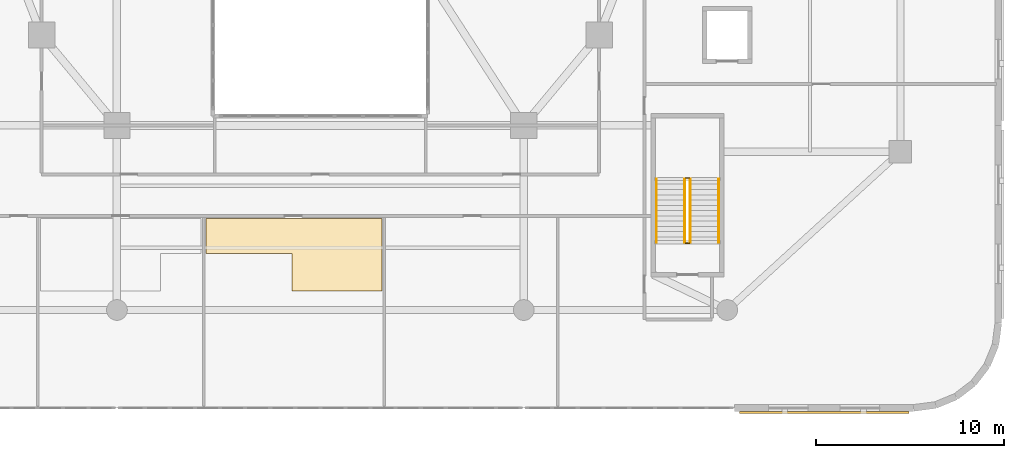
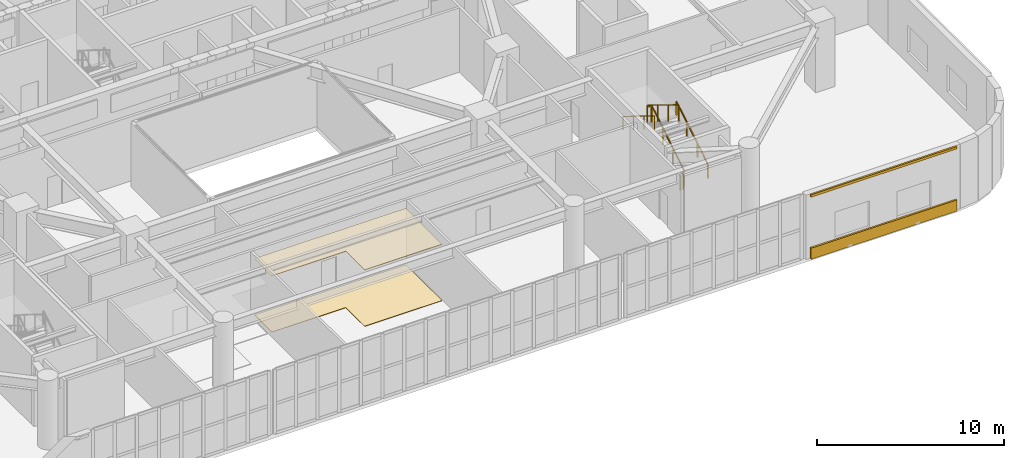
# One storey, part 21 of 25: 6 railings, 4 coverings.
"""IFC4 building model written with IfcOpenShell, lengths in metres."""

from ifc_helpers import new_model, si_unit, direction, frame, origin, origin_2d, place, context, subcontext, project, spatial, polyline, rectangle, outline, extrude, material, layer, layer_set, type_object, element, save


model = new_model("IFC4")

# Units and contexts
model_context = context("Model", 3, precision=1e-05, world=origin(), true_north=direction((0.0, 1.0)))
body_context = subcontext(model_context, "Body", "Model", "MODEL_VIEW")
ifc_project = project(units=[si_unit("LENGTHUNIT", "METRE"), si_unit("AREAUNIT", "SQUARE_METRE"), si_unit("VOLUMEUNIT", "CUBIC_METRE"), si_unit("PLANEANGLEUNIT", "RADIAN"), si_unit("MASSUNIT", "GRAM", prefix="KILO")], contexts=[model_context])

# Site, building, storey
site_placement = place(None, origin())
site = spatial("IfcSite", under=ifc_project, at=site_placement, CompositionType="ELEMENT")
building_placement = place(site_placement, origin())
building = spatial("IfcBuilding", under=site, at=building_placement, Name="Haldorwick Loom Tower", CompositionType="ELEMENT")
storey_placement = place(building_placement, frame((0.0, 0.0, 15.0)))
storey = spatial("IfcBuildingStorey", under=building, at=storey_placement, Name="L03", CompositionType="ELEMENT", Elevation=15.0)

# Coverings
ifc_material_1 = material(Name="Corbelled Pressed Clay Face Brick Veneer", Category="masonry")
ifc_layer_1 = layer(ifc_material_1, 0.110107421875, Name="Corbelled Pressed Clay Face Brick Veneer", Category="masonry")
ifc_layer_set_1 = layer_set([ifc_layer_1], Name="Corbelled Pressed Clay Face Brick Veneer")
covering_type_1 = type_object("IfcCoveringType", Name="ARC-COV-BRICK110", PredefinedType="CLADDING", material=ifc_layer_set_1)
covering_1_placement = place(storey_placement, origin())
element("IfcCovering", 1, at=covering_1_placement, inside=storey, type_object=covering_type_1, Name="L03 Sill Face-Brick Spandrel 42", PredefinedType="CLADDING", context=body_context, shape_type="SweptSolid", body=[
    extrude(outline(polyline([(58.25, -0.2900390625), (67.25, -0.2900390625), (67.25, -0.179931640625), (58.25, -0.179931640625), (58.25, -0.2900390625)])), origin(), (0.0, 0.0, 1.0), 0.719970703125),
])
covering_2_placement = place(storey_placement, frame((0.0, 0.0, 4.0400390625)))
element("IfcCovering", 2, at=covering_2_placement, inside=storey, type_object=covering_type_1, Name="L03 Head Face-Brick Lintel Band 42", PredefinedType="CLADDING", context=body_context, shape_type="SweptSolid", body=[
    extrude(outline(polyline([(58.25, -0.2900390625), (67.25, -0.2900390625), (67.25, -0.179931640625), (58.25, -0.179931640625), (58.25, -0.2900390625)])), origin(), (0.0, 0.0, 1.0), 0.159912109375),
])
ifc_material_2 = material(Name="Mineral Fibre Acoustic Ceiling Tile")
ifc_layer_2 = layer(ifc_material_2, 0.0400390625, Name="Mineral Fibre Acoustic Ceiling Tile")
ifc_layer_set_2 = layer_set([ifc_layer_2], Name="Mineral Fibre Acoustic Ceiling Tile")
covering_type_2 = type_object("IfcCoveringType", Name="ARC-COV-CEIL", PredefinedType="CEILING", material=ifc_layer_set_2)
covering_3_placement = place(storey_placement, frame((0.0, 0.0, 3.659912109375)))
element("IfcCovering", 3, at=covering_3_placement, inside=storey, type_object=covering_type_2, Name="L03 Acoustic Suspended Ceiling 2", PredefinedType="CEILING", context=body_context, shape_type="SweptSolid", body=[
    extrude(outline(polyline([(34.5, 6.199951171875), (39.27001953125, 6.199951171875), (39.27001953125, 10.06005859375), (29.929931640625, 10.06005859375), (29.929931640625, 8.199951171875), (34.5, 8.199951171875), (34.5, 6.199951171875)])), origin(), (0.0, 0.0, 1.0), 0.0400390625),
])
ifc_material_3 = material(Name="Polished Aggregate Terrazzo Finish")
ifc_layer_3 = layer(ifc_material_3, 0.030029296875, Name="Polished Aggregate Terrazzo Finish")
ifc_layer_set_3 = layer_set([ifc_layer_3], Name="Polished Aggregate Terrazzo Finish")
covering_type_3 = type_object("IfcCoveringType", Name="ARC-COV-FLOOR", PredefinedType="FLOORING", material=ifc_layer_set_3)
covering_4_placement = place(storey_placement, origin())
element("IfcCovering", 4, at=covering_4_placement, inside=storey, type_object=covering_type_3, Name="L03 Floor Finish 2", PredefinedType="FLOORING", context=body_context, shape_type="SweptSolid", body=[
    extrude(outline(polyline([(34.5, 6.199951171875), (39.27001953125, 6.199951171875), (39.27001953125, 10.06005859375), (29.929931640625, 10.06005859375), (29.929931640625, 8.199951171875), (34.5, 8.199951171875), (34.5, 6.199951171875)])), origin(), (0.0, 0.0, 1.0), 0.030029296875),
])

# Railings
ifc_material_4 = material(Name="Steel CSA G40.21 350W", Category="steel")
railing_type_1 = type_object("IfcRailingType", Name="ARC-RLG-GUARD112", PredefinedType="GUARDRAIL", material=ifc_material_4)
railing_1_placement = place(storey_placement, frame((55.64990234375, 8.800048828125, 0.173095703125)))
element("IfcRailing", 5, at=railing_1_placement, inside=storey, type_object=railing_type_1, Name="L03 ST-P2 stair guard 1", PredefinedType="GUARDRAIL", context=body_context, shape_type="SweptSolid", body=[
    extrude(rectangle(XDim=0.048095703125, YDim=0.048095703125, at=origin_2d()), frame((0.0, 0.0, 1.076171875), z_axis=(0.0, 0.850606129759, 0.525803396734), x_axis=(-1.0, 0.0, 0.0)), (0.0, 0.0, 1.0), 3.949951171875),
    extrude(rectangle(XDim=0.0419921875, YDim=0.0419921875, at=origin_2d()), origin(), (0.0, 0.0, 1.0), 1.052001953125),
    extrude(rectangle(XDim=0.0419921875, YDim=0.0419921875, at=origin_2d()), frame((0.0, 1.119873046875, 0.6923828125)), (0.0, 0.0, 1.0), 1.052001953125),
    extrude(rectangle(XDim=0.0419921875, YDim=0.0419921875, at=origin_2d()), frame((0.0, 2.239990234375, 1.384521484375)), (0.0, 0.0, 1.0), 1.052001953125),
    extrude(rectangle(XDim=0.0419921875, YDim=0.0419921875, at=origin_2d()), frame((0.0, 3.35986328125, 2.076904296875)), (0.0, 0.0, 1.0), 1.052001953125),
])
railing_2_placement = place(storey_placement, frame((55.60009765625, 12.2099609375, 2.25)))
element("IfcRailing", 6, at=railing_2_placement, inside=storey, type_object=railing_type_1, Name="L03 ST-P2 stair guard 2", PredefinedType="GUARDRAIL", context=body_context, shape_type="SweptSolid", body=[
    extrude(rectangle(XDim=0.048095703125, YDim=0.048095703125, at=origin_2d()), frame((0.0, 0.0, 1.076171875), z_axis=(-1.0, 0.0, 0.0), x_axis=(0.0, -1.0, 0.0)), (0.0, 0.0, 1.0), 0.2001953125),
    extrude(rectangle(XDim=0.0419921875, YDim=0.0419921875, at=origin_2d()), origin(), (0.0, 0.0, 1.0), 1.052001953125),
    extrude(rectangle(XDim=0.0419921875, YDim=0.0419921875, at=origin_2d()), frame((-0.2001953125, 0.0, 0.0)), (0.0, 0.0, 1.0), 1.052001953125),
])
railing_3_placement = place(storey_placement, frame((55.35009765625, 12.159912109375, 2.423095703125)))
element("IfcRailing", 7, at=railing_3_placement, inside=storey, type_object=railing_type_1, Name="L03 ST-P2 stair guard 3", PredefinedType="GUARDRAIL", context=body_context, shape_type="SweptSolid", body=[
    extrude(rectangle(XDim=0.048095703125, YDim=0.048095703125, at=origin_2d()), frame((0.0, 0.0, 1.076171875), z_axis=(0.0, -0.850606129759, 0.525803396734), x_axis=(1.0, 0.0, 0.0)), (0.0, 0.0, 1.0), 3.949951171875),
    extrude(rectangle(XDim=0.0419921875, YDim=0.0419921875, at=origin_2d()), origin(), (0.0, 0.0, 1.0), 1.052001953125),
    extrude(rectangle(XDim=0.0419921875, YDim=0.0419921875, at=origin_2d()), frame((0.0, -1.119873046875, 0.6923828125)), (0.0, 0.0, 1.0), 1.052001953125),
    extrude(rectangle(XDim=0.0419921875, YDim=0.0419921875, at=origin_2d()), frame((0.0, -2.239990234375, 1.384521484375)), (0.0, 0.0, 1.0), 1.052001953125),
    extrude(rectangle(XDim=0.0419921875, YDim=0.0419921875, at=origin_2d()), frame((0.0, -3.35986328125, 2.076904296875)), (0.0, 0.0, 1.0), 1.052001953125),
])
railing_4_placement = place(storey_placement, frame((55.60009765625, 8.75, 0.0)))
element("IfcRailing", 8, at=railing_4_placement, inside=storey, type_object=railing_type_1, Name="L03 ST-P2 stair guard 4", PredefinedType="GUARDRAIL", context=body_context, shape_type="SweptSolid", body=[
    extrude(rectangle(XDim=0.048095703125, YDim=0.048095703125, at=origin_2d()), frame((0.0, 0.0, 1.076171875), z_axis=(-1.0, 0.0, 0.0), x_axis=(0.0, -1.0, 0.0)), (0.0, 0.0, 1.0), 0.2001953125),
    extrude(rectangle(XDim=0.0419921875, YDim=0.0419921875, at=origin_2d()), origin(), (0.0, 0.0, 1.0), 1.052001953125),
    extrude(rectangle(XDim=0.0419921875, YDim=0.0419921875, at=origin_2d()), frame((-0.2001953125, 0.0, 0.0)), (0.0, 0.0, 1.0), 1.052001953125),
])
railing_type_2 = type_object("IfcRailingType", Name="ARC-RLG-HAND092", PredefinedType="HANDRAIL", material=ifc_material_4)
railing_5_placement = place(storey_placement, frame((57.14990234375, 8.800048828125, 0.173095703125)))
element("IfcRailing", 9, at=railing_5_placement, inside=storey, type_object=railing_type_2, Name="L03 ST-P2 stair handrail 1", PredefinedType="HANDRAIL", context=body_context, shape_type="SweptSolid", body=[
    extrude(rectangle(XDim=0.048095703125, YDim=0.048095703125, at=origin_2d()), frame((0.0, 0.0, 0.8759765625), z_axis=(0.0, 0.850606129759, 0.525803396734), x_axis=(-1.0, 0.0, 0.0)), (0.0, 0.0, 1.0), 3.949951171875),
    extrude(rectangle(XDim=0.0419921875, YDim=0.0419921875, at=origin_2d()), origin(), (0.0, 0.0, 1.0), 0.851806640625),
    extrude(rectangle(XDim=0.0419921875, YDim=0.0419921875, at=origin_2d()), frame((0.0, 1.119873046875, 0.6923828125)), (0.0, 0.0, 1.0), 0.851806640625),
    extrude(rectangle(XDim=0.0419921875, YDim=0.0419921875, at=origin_2d()), frame((0.0, 2.239990234375, 1.384521484375)), (0.0, 0.0, 1.0), 0.851806640625),
    extrude(rectangle(XDim=0.0419921875, YDim=0.0419921875, at=origin_2d()), frame((0.0, 3.35986328125, 2.076904296875)), (0.0, 0.0, 1.0), 0.851806640625),
])
railing_6_placement = place(storey_placement, frame((53.85009765625, 12.159912109375, 2.423095703125)))
element("IfcRailing", 10, at=railing_6_placement, inside=storey, type_object=railing_type_2, Name="L03 ST-P2 stair handrail 2", PredefinedType="HANDRAIL", context=body_context, shape_type="SweptSolid", body=[
    extrude(rectangle(XDim=0.048095703125, YDim=0.048095703125, at=origin_2d()), frame((0.0, 0.0, 0.8759765625), z_axis=(0.0, -0.850606129759, 0.525803396734), x_axis=(1.0, 0.0, 0.0)), (0.0, 0.0, 1.0), 3.949951171875),
    extrude(rectangle(XDim=0.0419921875, YDim=0.0419921875, at=origin_2d()), origin(), (0.0, 0.0, 1.0), 0.851806640625),
    extrude(rectangle(XDim=0.0419921875, YDim=0.0419921875, at=origin_2d()), frame((0.0, -1.119873046875, 0.6923828125)), (0.0, 0.0, 1.0), 0.851806640625),
    extrude(rectangle(XDim=0.0419921875, YDim=0.0419921875, at=origin_2d()), frame((0.0, -2.239990234375, 1.384521484375)), (0.0, 0.0, 1.0), 0.851806640625),
    extrude(rectangle(XDim=0.0419921875, YDim=0.0419921875, at=origin_2d()), frame((0.0, -3.35986328125, 2.076904296875)), (0.0, 0.0, 1.0), 0.851806640625),
])

save(model, "model.ifc")
